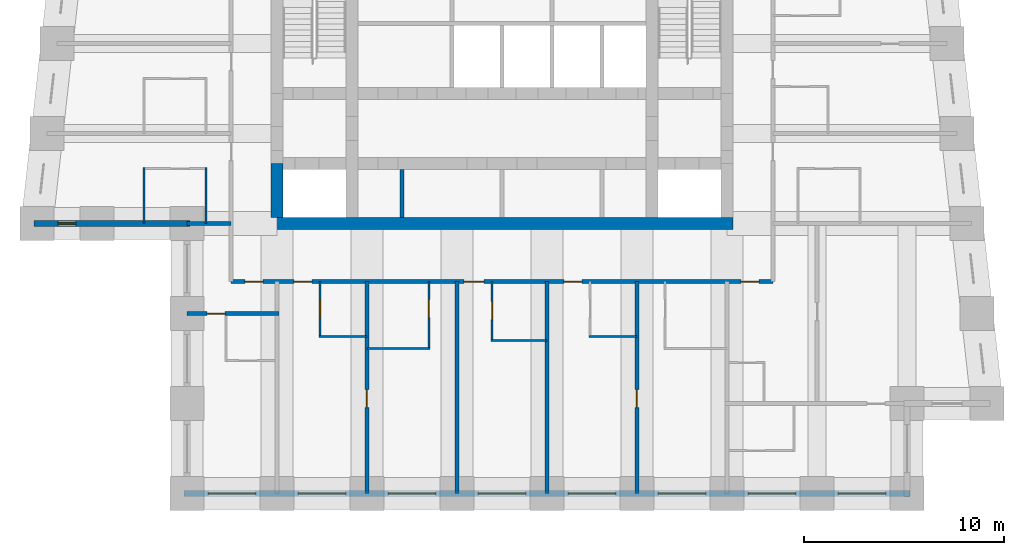
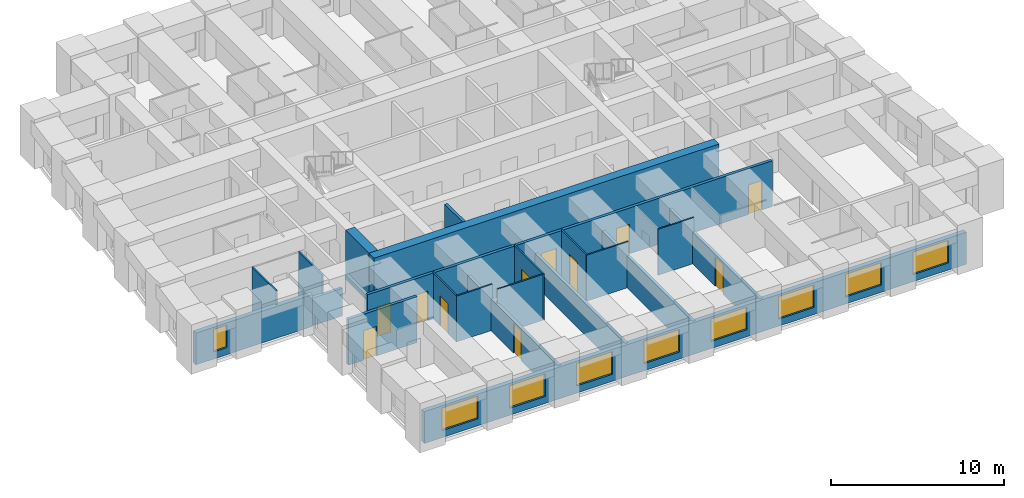
# One storey, part 2 of 8: 21 walls, 11 doors, 9 windows, 20 openings.
"""IFC4 building model written with IfcOpenShell, lengths in metres."""

from ifc_helpers import new_model, si_unit, direction, frame, frame_2d, origin, place, context, subcontext, project, spatial, rectangle, extrude, material, layer, layer_set, type_object, element, fill, save


model = new_model("IFC4")

# Units and contexts
model_context = context("Model", 3, precision=1e-05, world=origin(), true_north=direction((0.0, 1.0)))
body_context = subcontext(model_context, "Body", "Model", "MODEL_VIEW")
ifc_project = project(units=[si_unit("LENGTHUNIT", "METRE"), si_unit("AREAUNIT", "SQUARE_METRE"), si_unit("VOLUMEUNIT", "CUBIC_METRE"), si_unit("PLANEANGLEUNIT", "RADIAN"), si_unit("MASSUNIT", "GRAM", prefix="KILO")], contexts=[model_context])

# Site, building, storey
site_placement = place(None, origin())
site = spatial("IfcSite", under=ifc_project, at=site_placement, CompositionType="ELEMENT")
building_placement = place(site_placement, origin())
building = spatial("IfcBuilding", under=site, at=building_placement, Name="Kilele Tower Hotel", CompositionType="ELEMENT")
storey_placement = place(building_placement, frame((0.0, 0.0, 169.39990234375)))
storey = spatial("IfcBuildingStorey", under=building, at=storey_placement, Name="L43", CompositionType="ELEMENT", Elevation=169.39990234375)

# Wall
ifc_material_1 = material(Name="Moisture-resistant board")
ifc_layer_1 = layer(ifc_material_1, 0.10009765625)
ifc_layer_set_1 = layer_set([ifc_layer_1], Name="Moisture-resistant board")
wall_type_1 = type_object("IfcWallType", Name="Bathroom partition 100", PredefinedType="PLUMBINGWALL", material=ifc_layer_set_1)
wall_1_placement = place(storey_placement, frame((15.60009765625, 7.85009765625, 0.0), z_axis=(0.0, 0.0, 1.0), x_axis=(1.0, 0.0, 0.0)))
element("IfcWall", 1, at=wall_1_placement, inside=storey, type_object=wall_type_1, Name="Bathroom partition 100 L43", PredefinedType="PLUMBINGWALL", context=body_context, shape_type="SweptSolid", body=[
    extrude(rectangle(XDim=2.39990234375, YDim=0.10009765625, at=frame_2d((1.199951171875, 0.0))), origin(), (0.0, 0.0, 1.0), 3.25),
])

# Wall, opening, door
wall_2_placement = place(storey_placement, frame((15.64990234375, 10.60009765625, 0.0), z_axis=(0.0, 0.0, 1.0), x_axis=(0.0, -1.0, 0.0)))
wall_2 = element("IfcWall", 2, at=wall_2_placement, inside=storey, type_object=wall_type_1, Name="Bathroom partition 100 L43", PredefinedType="PLUMBINGWALL", context=body_context, shape_type="SweptSolid", body=[
    extrude(rectangle(XDim=2.800048828125, YDim=0.10009765625, at=frame_2d((1.39990234375, 0.0))), origin(), (0.0, 0.0, 1.0), 3.25),
])
opening_1_placement = place(wall_2_placement, frame((1.7998046875, 0.0, 0.0), z_axis=(0.0, 0.0, 1.0), x_axis=(-1.0, 0.0, 0.0)))
opening_1 = element("IfcOpeningElement", 3, at=opening_1_placement, cuts=wall_2, Name="Opening D2A", PredefinedType="OPENING", context=body_context, shape_type="SweptSolid", body=[
    extrude(rectangle(XDim=0.89990234375, YDim=2.10009765625, at=frame_2d((0.449951171875, 1.050048828125))), frame((0.0, 0.06005859375, 0.0), z_axis=(0.0, -1.0, 0.0), x_axis=(1.0, 0.0, 0.0)), (0.0, 0.0, 1.0), 0.1201171875),
])
ifc_material_2 = material(Name="Timber door leaf in hardwood frame", Category="wood")
door_type_1 = type_object("IfcDoorType", Name="Bathroom door 900", OperationType="SINGLE_SWING_LEFT", PredefinedType="DOOR", material=ifc_material_2)
door_1_placement = place(opening_1_placement, origin())
door_1 = element("IfcDoor", 4, at=door_1_placement, inside=storey, type_object=door_type_1, Name="Bathroom door 4301B", OperationType="SINGLE_SWING_RIGHT", OverallHeight=2.10009765625, OverallWidth=0.89990234375, PredefinedType="DOOR", context=body_context, shape_type="SweptSolid", body=[
    extrude(rectangle(XDim=0.89990234375, YDim=2.10009765625, at=frame_2d((0.449951171875, 1.050048828125))), frame((0.0, 0.02490234375, 0.0), z_axis=(0.0, -1.0, 0.0), x_axis=(1.0, 0.0, 0.0)), (0.0, 0.0, 1.0), 0.050048828125),
])
fill(opening_1, door_1)

# Wall
wall_3_placement = place(storey_placement, frame((18.0, 7.25, 0.0), z_axis=(0.0, 0.0, 1.0), x_axis=(1.0, 0.0, 0.0)))
element("IfcWall", 5, at=wall_3_placement, inside=storey, type_object=wall_type_1, Name="Bathroom partition 100 L43", PredefinedType="PLUMBINGWALL", context=body_context, shape_type="SweptSolid", body=[
    extrude(rectangle(XDim=3.14990234375, YDim=0.10009765625, at=frame_2d((1.574951171875, 0.0))), origin(), (0.0, 0.0, 1.0), 3.25),
])

# Wall, opening, door
wall_4_placement = place(storey_placement, frame((21.10009765625, 10.60009765625, 0.0), z_axis=(0.0, 0.0, 1.0), x_axis=(0.0, -1.0, 0.0)))
wall_4 = element("IfcWall", 6, at=wall_4_placement, inside=storey, type_object=wall_type_1, Name="Bathroom partition 100 L43", PredefinedType="PLUMBINGWALL", context=body_context, shape_type="SweptSolid", body=[
    extrude(rectangle(XDim=3.400146484375, YDim=0.10009765625, at=frame_2d((1.7001953125, 0.0))), origin(), (0.0, 0.0, 1.0), 3.25),
])
opening_2_placement = place(wall_4_placement, frame((0.89990234375, 0.0, 0.0)))
opening_2 = element("IfcOpeningElement", 7, at=opening_2_placement, cuts=wall_4, Name="Opening D2A", PredefinedType="OPENING", context=body_context, shape_type="SweptSolid", body=[
    extrude(rectangle(XDim=0.89990234375, YDim=2.10009765625, at=frame_2d((0.449951171875, 1.050048828125))), frame((0.0, 0.06005859375, 0.0), z_axis=(0.0, -1.0, 0.0), x_axis=(1.0, 0.0, 0.0)), (0.0, 0.0, 1.0), 0.1201171875),
])
door_2_placement = place(opening_2_placement, origin())
door_2 = element("IfcDoor", 8, at=door_2_placement, inside=storey, type_object=door_type_1, Name="Bathroom door 4302B", OperationType="SINGLE_SWING_LEFT", OverallHeight=2.10009765625, OverallWidth=0.89990234375, PredefinedType="DOOR", context=body_context, shape_type="SweptSolid", body=[
    extrude(rectangle(XDim=0.89990234375, YDim=2.10009765625, at=frame_2d((0.449951171875, 1.050048828125))), frame((0.0, 0.02490234375, 0.0), z_axis=(0.0, -1.0, 0.0), x_axis=(1.0, 0.0, 0.0)), (0.0, 0.0, 1.0), 0.050048828125),
])
fill(opening_2, door_2)

# Wall
wall_5_placement = place(storey_placement, frame((24.199951171875, 7.64990234375, 0.0), z_axis=(0.0, 0.0, 1.0), x_axis=(1.0, 0.0, 0.0)))
element("IfcWall", 9, at=wall_5_placement, inside=storey, type_object=wall_type_1, Name="Bathroom partition 100 L43", PredefinedType="PLUMBINGWALL", context=body_context, shape_type="SweptSolid", body=[
    extrude(rectangle(XDim=2.800048828125, YDim=0.10009765625, at=frame_2d((1.39990234375, 0.0))), origin(), (0.0, 0.0, 1.0), 3.25),
])

# Wall, opening, door
wall_6_placement = place(storey_placement, frame((24.25, 10.60009765625, 0.0), z_axis=(0.0, 0.0, 1.0), x_axis=(0.0, -1.0, 0.0)))
wall_6 = element("IfcWall", 10, at=wall_6_placement, inside=storey, type_object=wall_type_1, Name="Bathroom partition 100 L43", PredefinedType="PLUMBINGWALL", context=body_context, shape_type="SweptSolid", body=[
    extrude(rectangle(XDim=3.0, YDim=0.10009765625, at=frame_2d((1.5, 0.0))), origin(), (0.0, 0.0, 1.0), 3.25),
])
opening_3_placement = place(wall_6_placement, frame((1.89990234375, 0.0, 0.0), z_axis=(0.0, 0.0, 1.0), x_axis=(-1.0, 0.0, 0.0)))
opening_3 = element("IfcOpeningElement", 11, at=opening_3_placement, cuts=wall_6, Name="Opening D2A", PredefinedType="OPENING", context=body_context, shape_type="SweptSolid", body=[
    extrude(rectangle(XDim=0.89990234375, YDim=2.10009765625, at=frame_2d((0.449951171875, 1.050048828125))), frame((0.0, 0.06005859375, 0.0), z_axis=(0.0, -1.0, 0.0), x_axis=(1.0, 0.0, 0.0)), (0.0, 0.0, 1.0), 0.1201171875),
])
door_3_placement = place(opening_3_placement, origin())
door_3 = element("IfcDoor", 12, at=door_3_placement, inside=storey, type_object=door_type_1, Name="Bathroom door 4303B", OperationType="SINGLE_SWING_RIGHT", OverallHeight=2.10009765625, OverallWidth=0.89990234375, PredefinedType="DOOR", context=body_context, shape_type="SweptSolid", body=[
    extrude(rectangle(XDim=0.89990234375, YDim=2.10009765625, at=frame_2d((0.449951171875, 1.050048828125))), frame((0.0, 0.02490234375, 0.0), z_axis=(0.0, -1.0, 0.0), x_axis=(1.0, 0.0, 0.0)), (0.0, 0.0, 1.0), 0.050048828125),
])
fill(opening_3, door_3)

# Walls
wall_7_placement = place(storey_placement, frame((29.10009765625, 7.85009765625, 0.0), z_axis=(0.0, 0.0, 1.0), x_axis=(1.0, 0.0, 0.0)))
element("IfcWall", 13, at=wall_7_placement, inside=storey, type_object=wall_type_1, Name="Bathroom partition 100 L43", PredefinedType="PLUMBINGWALL", context=body_context, shape_type="SweptSolid", body=[
    extrude(rectangle(XDim=2.39990234375, YDim=0.10009765625, at=frame_2d((1.199951171875, 0.0))), origin(), (0.0, 0.0, 1.0), 3.25),
])
for number, where, z_axis, x_axis, name in (
    (14, (9.949951171875, 13.5, 0.0), (0.0, 0.0, 1.0), (0.0, 1.0, 0.0), "Bathroom partition 100 L43"),
    (15, (6.85009765625, 13.5, 0.0), (0.0, 0.0, 1.0), (0.0, 1.0, 0.0), "Bathroom partition 100 L43"),
):
    element("IfcWall", number, at=place(storey_placement, frame(where, z_axis=z_axis, x_axis=x_axis)), inside=storey, type_object=wall_type_1, Name=name, PredefinedType="PLUMBINGWALL", context=body_context, shape_type="SweptSolid", body=[
        extrude(rectangle(XDim=2.800048828125, YDim=0.10009765625, at=frame_2d((1.39990234375, 0.0))), origin(), (0.0, 0.0, 1.0), 3.25),
    ])
ifc_material_3 = material(Name="Concrete C70/85", Category="concrete")
ifc_layer_2 = layer(ifc_material_3, 0.60009765625)
ifc_layer_set_2 = layer_set([ifc_layer_2], Name="Concrete C70/85")
wall_type_2 = type_object("IfcWallType", Name="Core wall 600 C70/85", PredefinedType="SHEAR", material=ifc_layer_set_2)
wall_8_placement = place(storey_placement, frame((13.199951171875, 13.5, 0.0), z_axis=(0.0, 0.0, 1.0), x_axis=(1.0, 0.0, 0.0)))
element("IfcWall", 16, at=wall_8_placement, inside=storey, type_object=wall_type_2, Name="Core wall S L43", PredefinedType="SHEAR", context=body_context, shape_type="SweptSolid", body=[
    extrude(rectangle(XDim=23.10009765625, YDim=0.60009765625, at=frame_2d((11.550048828125, 0.0))), origin(), (0.0, 0.0, 1.0), 3.5),
])
wall_9_placement = place(storey_placement, frame((13.5, 16.5, 0.0), z_axis=(0.0, 0.0, 1.0), x_axis=(0.0, -1.0, 0.0)))
element("IfcWall", 17, at=wall_9_placement, inside=storey, type_object=wall_type_2, Name="Core wall W3 L43", PredefinedType="SHEAR", context=body_context, shape_type="SweptSolid", body=[
    extrude(rectangle(XDim=2.699951171875, YDim=0.60009765625, at=frame_2d((1.35009765625, 0.0))), origin(), (0.0, 0.0, 1.0), 3.5),
])

# Wall, openings, doors
ifc_material_4 = material(Name="Blockwork, plastered both sides", Category="masonry")
ifc_layer_3 = layer(ifc_material_4, 0.199951171875)
ifc_layer_set_3 = layer_set([ifc_layer_3], Name="Blockwork, plastered both sides")
wall_type_3 = type_object("IfcWallType", Name="Corridor wall 200", PredefinedType="PARTITIONING", material=ifc_layer_set_3)
wall_10_placement = place(storey_placement, frame((11.199951171875, 10.60009765625, 0.0), z_axis=(0.0, 0.0, 1.0), x_axis=(1.0, 0.0, 0.0)))
wall_10 = element("IfcWall", 18, at=wall_10_placement, inside=storey, type_object=wall_type_3, Name="Corridor wall 200 L43", PredefinedType="PARTITIONING", context=body_context, shape_type="SweptSolid", body=[
    extrude(rectangle(XDim=27.10009765625, YDim=0.199951171875, at=frame_2d((13.550048828125, 0.0))), origin(), (0.0, 0.0, 1.0), 3.25),
])
opening_4_placement = place(wall_10_placement, frame((4.0498046875, 0.0, 0.0), z_axis=(0.0, 0.0, 1.0), x_axis=(-1.0, 0.0, 0.0)))
opening_4 = element("IfcOpeningElement", 19, at=opening_4_placement, cuts=wall_10, Name="Opening D1", PredefinedType="OPENING", context=body_context, shape_type="SweptSolid", body=[
    extrude(rectangle(XDim=0.89990234375, YDim=2.10009765625, at=frame_2d((0.449951171875, 1.050048828125))), frame((0.0, 0.10986328125, 0.0), z_axis=(0.0, -1.0, 0.0), x_axis=(1.0, 0.0, 0.0)), (0.0, 0.0, 1.0), 0.219970703125),
])
opening_5_placement = place(wall_10_placement, frame((12.64990234375, 0.0, 0.0), z_axis=(0.0, 0.0, 1.0), x_axis=(-1.0, 0.0, 0.0)))
opening_5 = element("IfcOpeningElement", 20, at=opening_5_placement, cuts=wall_10, Name="Opening D1A", PredefinedType="OPENING", context=body_context, shape_type="SweptSolid", body=[
    extrude(rectangle(XDim=1.0, YDim=2.10009765625, at=frame_2d((0.5, 1.050048828125))), frame((0.0, 0.10986328125, 0.0), z_axis=(0.0, -1.0, 0.0), x_axis=(1.0, 0.0, 0.0)), (0.0, 0.0, 1.0), 0.219970703125),
])
opening_6_placement = place(wall_10_placement, frame((17.5498046875, 0.0, 0.0), z_axis=(0.0, 0.0, 1.0), x_axis=(-1.0, 0.0, 0.0)))
opening_6 = element("IfcOpeningElement", 21, at=opening_6_placement, cuts=wall_10, Name="Opening D1", PredefinedType="OPENING", context=body_context, shape_type="SweptSolid", body=[
    extrude(rectangle(XDim=0.89990234375, YDim=2.10009765625, at=frame_2d((0.449951171875, 1.050048828125))), frame((0.0, 0.10986328125, 0.0), z_axis=(0.0, -1.0, 0.0), x_axis=(1.0, 0.0, 0.0)), (0.0, 0.0, 1.0), 0.219970703125),
])
opening_7_placement = place(wall_10_placement, frame((1.599853515625, 0.0, 0.0), z_axis=(0.0, 0.0, 1.0), x_axis=(-1.0, 0.0, 0.0)))
opening_7 = element("IfcOpeningElement", 22, at=opening_7_placement, cuts=wall_10, Name="Opening D1", PredefinedType="OPENING", context=body_context, shape_type="SweptSolid", body=[
    extrude(rectangle(XDim=0.89990234375, YDim=2.10009765625, at=frame_2d((0.449951171875, 1.050048828125))), frame((0.0, 0.10986328125, 0.0), z_axis=(0.0, -1.0, 0.0), x_axis=(1.0, 0.0, 0.0)), (0.0, 0.0, 1.0), 0.219970703125),
])
opening_8_placement = place(wall_10_placement, frame((26.39990234375, 0.0, 0.0), z_axis=(0.0, 0.0, 1.0), x_axis=(-1.0, 0.0, 0.0)))
opening_8 = element("IfcOpeningElement", 23, at=opening_8_placement, cuts=wall_10, Name="Opening D1", PredefinedType="OPENING", context=body_context, shape_type="SweptSolid", body=[
    extrude(rectangle(XDim=0.89990234375, YDim=2.10009765625, at=frame_2d((0.449951171875, 1.050048828125))), frame((0.0, 0.10986328125, 0.0), z_axis=(0.0, -1.0, 0.0), x_axis=(1.0, 0.0, 0.0)), (0.0, 0.0, 1.0), 0.219970703125),
])
ifc_material_5 = material(Name="Timber door leaf in hardwood frame", Category="wood")
door_type_2 = type_object("IfcDoorType", Name="Guest room entrance door 1000", OperationType="SINGLE_SWING_LEFT", PredefinedType="DOOR", material=ifc_material_5)
door_4_placement = place(opening_5_placement, origin())
door_4 = element("IfcDoor", 24, at=door_4_placement, inside=storey, type_object=door_type_2, Name="Room entrance 4303", OperationType="SINGLE_SWING_RIGHT", OverallHeight=2.10009765625, OverallWidth=1.0, PredefinedType="DOOR", context=body_context, shape_type="SweptSolid", body=[
    extrude(rectangle(XDim=1.0, YDim=2.10009765625, at=frame_2d((0.5, 1.050048828125))), frame((0.0, 0.02490234375, 0.0), z_axis=(0.0, -1.0, 0.0), x_axis=(1.0, 0.0, 0.0)), (0.0, 0.0, 1.0), 0.050048828125),
])
fill(opening_5, door_4)
ifc_material_6 = material(Name="Timber door leaf in hardwood frame", Category="wood")
door_type_3 = type_object("IfcDoorType", Name="Guest room entrance door 900", OperationType="SINGLE_SWING_LEFT", PredefinedType="DOOR", material=ifc_material_6)
door_5_placement = place(opening_4_placement, origin())
door_5 = element("IfcDoor", 25, at=door_5_placement, inside=storey, type_object=door_type_3, Name="Room entrance 4301", OperationType="SINGLE_SWING_LEFT", OverallHeight=2.10009765625, OverallWidth=0.89990234375, PredefinedType="DOOR", context=body_context, shape_type="SweptSolid", body=[
    extrude(rectangle(XDim=0.89990234375, YDim=2.10009765625, at=frame_2d((0.449951171875, 1.050048828125))), frame((0.0, 0.02490234375, 0.0), z_axis=(0.0, -1.0, 0.0), x_axis=(1.0, 0.0, 0.0)), (0.0, 0.0, 1.0), 0.050048828125),
])
fill(opening_4, door_5)
door_6_placement = place(opening_6_placement, origin())
door_6 = element("IfcDoor", 26, at=door_6_placement, inside=storey, type_object=door_type_3, Name="Room entrance 4304", OperationType="SINGLE_SWING_LEFT", OverallHeight=2.10009765625, OverallWidth=0.89990234375, PredefinedType="DOOR", context=body_context, shape_type="SweptSolid", body=[
    extrude(rectangle(XDim=0.89990234375, YDim=2.10009765625, at=frame_2d((0.449951171875, 1.050048828125))), frame((0.0, 0.02490234375, 0.0), z_axis=(0.0, -1.0, 0.0), x_axis=(1.0, 0.0, 0.0)), (0.0, 0.0, 1.0), 0.050048828125),
])
fill(opening_6, door_6)
door_7_placement = place(opening_7_placement, origin())
door_7 = element("IfcDoor", 27, at=door_7_placement, inside=storey, type_object=door_type_3, Name="Room entrance 4317", OperationType="SINGLE_SWING_LEFT", OverallHeight=2.10009765625, OverallWidth=0.89990234375, PredefinedType="DOOR", context=body_context, shape_type="SweptSolid", body=[
    extrude(rectangle(XDim=0.89990234375, YDim=2.10009765625, at=frame_2d((0.449951171875, 1.050048828125))), frame((0.0, 0.02490234375, 0.0), z_axis=(0.0, -1.0, 0.0), x_axis=(1.0, 0.0, 0.0)), (0.0, 0.0, 1.0), 0.050048828125),
])
fill(opening_7, door_7)
door_8_placement = place(opening_8_placement, origin())
door_8 = element("IfcDoor", 28, at=door_8_placement, inside=storey, type_object=door_type_3, Name="Room entrance 4319", OperationType="SINGLE_SWING_RIGHT", OverallHeight=2.10009765625, OverallWidth=0.89990234375, PredefinedType="DOOR", context=body_context, shape_type="SweptSolid", body=[
    extrude(rectangle(XDim=0.89990234375, YDim=2.10009765625, at=frame_2d((0.449951171875, 1.050048828125))), frame((0.0, 0.02490234375, 0.0), z_axis=(0.0, -1.0, 0.0), x_axis=(1.0, 0.0, 0.0)), (0.0, 0.0, 1.0), 0.050048828125),
])
fill(opening_8, door_8)

# Wall, opening, door
ifc_material_7 = material(Name="Blockwork, plastered both sides", Category="masonry")
ifc_layer_4 = layer(ifc_material_7, 0.199951171875)
ifc_layer_set_4 = layer_set([ifc_layer_4], Name="Blockwork, plastered both sides")
wall_type_4 = type_object("IfcWallType", Name="Party wall 200", PredefinedType="PARTITIONING", material=ifc_layer_set_4)
wall_11_placement = place(storey_placement, frame((18.0, 10.60009765625, 0.0), z_axis=(0.0, 0.0, 1.0), x_axis=(0.0, -1.0, 0.0)))
wall_11 = element("IfcWall", 29, at=wall_11_placement, inside=storey, type_object=wall_type_4, Name="Party wall 200 L43", PredefinedType="PARTITIONING", context=body_context, shape_type="SweptSolid", body=[
    extrude(rectangle(XDim=10.60009765625, YDim=0.199951171875, at=frame_2d((5.300048828125, 0.0))), origin(), (0.0, 0.0, 1.0), 2.25),
])
opening_9_placement = place(wall_11_placement, frame((5.39990234375, 0.0, 0.0)))
opening_9 = element("IfcOpeningElement", 30, at=opening_9_placement, cuts=wall_11, Name="Opening D3", PredefinedType="OPENING", context=body_context, shape_type="SweptSolid", body=[
    extrude(rectangle(XDim=0.89990234375, YDim=2.10009765625, at=frame_2d((0.449951171875, 1.050048828125))), frame((0.0, 0.10986328125, 0.0), z_axis=(0.0, -1.0, 0.0), x_axis=(1.0, 0.0, 0.0)), (0.0, 0.0, 1.0), 0.219970703125),
])
ifc_material_8 = material(Name="Timber door leaf in hardwood frame", Category="wood")
door_type_4 = type_object("IfcDoorType", Name="Suite internal door 900", OperationType="SINGLE_SWING_LEFT", PredefinedType="DOOR", material=ifc_material_8)
door_9_placement = place(opening_9_placement, origin())
door_9 = element("IfcDoor", 31, at=door_9_placement, inside=storey, type_object=door_type_4, Name="Suite door 4302", OperationType="SINGLE_SWING_RIGHT", OverallHeight=2.10009765625, OverallWidth=0.89990234375, PredefinedType="DOOR", context=body_context, shape_type="SweptSolid", body=[
    extrude(rectangle(XDim=0.89990234375, YDim=2.10009765625, at=frame_2d((0.449951171875, 1.050048828125))), frame((0.0, 0.02490234375, 0.0), z_axis=(0.0, -1.0, 0.0), x_axis=(1.0, 0.0, 0.0)), (0.0, 0.0, 1.0), 0.050048828125),
])
fill(opening_9, door_9)

# Walls
for number, where, z_axis, x_axis, name in (
    (32, (22.5, 10.60009765625, 0.0), (0.0, 0.0, 1.0), (0.0, -1.0, 0.0), "Party wall 200 L43"),
    (33, (27.0, 10.60009765625, 0.0), (0.0, 0.0, 1.0), (0.0, -1.0, 0.0), "Party wall 200 L43"),
):
    element("IfcWall", number, at=place(storey_placement, frame(where, z_axis=z_axis, x_axis=x_axis)), inside=storey, type_object=wall_type_4, Name=name, PredefinedType="PARTITIONING", context=body_context, shape_type="SweptSolid", body=[
        extrude(rectangle(XDim=10.60009765625, YDim=0.199951171875, at=frame_2d((5.300048828125, 0.0))), origin(), (0.0, 0.0, 1.0), 2.25),
    ])

# Wall, opening, door
wall_12_placement = place(storey_placement, frame((31.5, 10.60009765625, 0.0), z_axis=(0.0, 0.0, 1.0), x_axis=(0.0, -1.0, 0.0)))
wall_12 = element("IfcWall", 34, at=wall_12_placement, inside=storey, type_object=wall_type_4, Name="Party wall 200 L43", PredefinedType="PARTITIONING", context=body_context, shape_type="SweptSolid", body=[
    extrude(rectangle(XDim=10.60009765625, YDim=0.199951171875, at=frame_2d((5.300048828125, 0.0))), origin(), (0.0, 0.0, 1.0), 2.25),
])
opening_10_placement = place(wall_12_placement, frame((5.39990234375, 0.0, 0.0)))
opening_10 = element("IfcOpeningElement", 35, at=opening_10_placement, cuts=wall_12, Name="Opening D3", PredefinedType="OPENING", context=body_context, shape_type="SweptSolid", body=[
    extrude(rectangle(XDim=0.89990234375, YDim=2.10009765625, at=frame_2d((0.449951171875, 1.050048828125))), frame((0.0, 0.10986328125, 0.0), z_axis=(0.0, -1.0, 0.0), x_axis=(1.0, 0.0, 0.0)), (0.0, 0.0, 1.0), 0.219970703125),
])
door_10_placement = place(opening_10_placement, origin())
door_10 = element("IfcDoor", 36, at=door_10_placement, inside=storey, type_object=door_type_4, Name="Suite door 4305", OperationType="SINGLE_SWING_RIGHT", OverallHeight=2.10009765625, OverallWidth=0.89990234375, PredefinedType="DOOR", context=body_context, shape_type="SweptSolid", body=[
    extrude(rectangle(XDim=0.89990234375, YDim=2.10009765625, at=frame_2d((0.449951171875, 1.050048828125))), frame((0.0, 0.02490234375, 0.0), z_axis=(0.0, -1.0, 0.0), x_axis=(1.0, 0.0, 0.0)), (0.0, 0.0, 1.0), 0.050048828125),
])
fill(opening_10, door_10)

# Wall
wall_13_placement = place(storey_placement, frame((11.199951171875, 13.5, 0.0), z_axis=(0.0, 0.0, 1.0), x_axis=(-1.0, 0.0, 0.0)))
element("IfcWall", 37, at=wall_13_placement, inside=storey, type_object=wall_type_4, Name="Party wall 200 L43", PredefinedType="PARTITIONING", context=body_context, shape_type="SweptSolid", body=[
    extrude(rectangle(XDim=2.199951171875, YDim=0.199951171875, at=frame_2d((1.10009765625, 0.0))), origin(), (0.0, 0.0, 1.0), 1.9501953125),
])

# Wall, opening, door
wall_14_placement = place(storey_placement, frame((13.60009765625, 9.0, 0.0), z_axis=(0.0, 0.0, 1.0), x_axis=(-1.0, 0.0, 0.0)))
wall_14 = element("IfcWall", 38, at=wall_14_placement, inside=storey, type_object=wall_type_4, Name="Party wall 200 L43", PredefinedType="PARTITIONING", context=body_context, shape_type="SweptSolid", body=[
    extrude(rectangle(XDim=4.60009765625, YDim=0.199951171875, at=frame_2d((2.300048828125, 0.0))), origin(), (0.0, 0.0, 1.0), 3.25),
])
opening_11_placement = place(wall_14_placement, frame((2.699951171875, 0.0, 0.0)))
opening_11 = element("IfcOpeningElement", 39, at=opening_11_placement, cuts=wall_14, Name="Opening D3", PredefinedType="OPENING", context=body_context, shape_type="SweptSolid", body=[
    extrude(rectangle(XDim=0.89990234375, YDim=2.10009765625, at=frame_2d((0.449951171875, 1.050048828125))), frame((0.0, 0.10986328125, 0.0), z_axis=(0.0, -1.0, 0.0), x_axis=(1.0, 0.0, 0.0)), (0.0, 0.0, 1.0), 0.219970703125),
])
door_11_placement = place(opening_11_placement, origin())
door_11 = element("IfcDoor", 40, at=door_11_placement, inside=storey, type_object=door_type_4, Name="Suite door 4318", OperationType="SINGLE_SWING_LEFT", OverallHeight=2.10009765625, OverallWidth=0.89990234375, PredefinedType="DOOR", context=body_context, shape_type="SweptSolid", body=[
    extrude(rectangle(XDim=0.89990234375, YDim=2.10009765625, at=frame_2d((0.449951171875, 1.050048828125))), frame((0.0, 0.02490234375, 0.0), z_axis=(0.0, -1.0, 0.0), x_axis=(1.0, 0.0, 0.0)), (0.0, 0.0, 1.0), 0.050048828125),
])
fill(opening_11, door_11)

# Wall, opening, window
ifc_material_9 = material(Name="Concrete C40/50 precast", Category="concrete")
ifc_layer_5 = layer(ifc_material_9, 0.260009765625, Name="Precast backing", Category="LoadBearing")
ifc_material_10 = material(Name="Reconstituted stone finish", Category="masonry")
ifc_layer_6 = layer(ifc_material_10, 0.0400390625, Name="Face mix", Category="Finish")
ifc_layer_set_5 = layer_set([ifc_layer_5, ifc_layer_6], Name="Precast concrete C40/50, reconstituted stone finish")
wall_type_5 = type_object("IfcWallType", Name="Precast stone facade wall 300", PredefinedType="STANDARD", material=ifc_layer_set_5)
wall_15_placement = place(storey_placement, frame((1.35009765625, 13.5, 0.0), z_axis=(0.0, 0.0, 1.0), x_axis=(1.0, 0.0, 0.0)))
wall_15 = element("IfcWall", 41, at=wall_15_placement, inside=storey, type_object=wall_type_5, Name="Facade wall L43 edge 1", PredefinedType="STANDARD", context=body_context, shape_type="SweptSolid", body=[
    extrude(rectangle(XDim=7.7998046875, YDim=0.300048828125, at=frame_2d((3.89990234375, 0.0))), origin(), (0.0, 0.0, 1.0), 2.25),
])
opening_12_placement = place(wall_15_placement, frame((1.199951171875, 0.0, 0.5)))
opening_12 = element("IfcOpeningElement", 42, at=opening_12_placement, cuts=wall_15, Name="Opening W3", PredefinedType="OPENING", context=body_context, shape_type="SweptSolid", body=[
    extrude(rectangle(XDim=0.89990234375, YDim=1.60009765625, at=frame_2d((0.449951171875, 0.800048828125))), frame((0.0, 0.159912109375, 0.0), z_axis=(0.0, -1.0, 0.0), x_axis=(1.0, 0.0, 0.0)), (0.0, 0.0, 1.0), 0.320068359375),
])
ifc_material_11 = material(Name="Aluminium frame, clear double glazing", Category="aluminium")
window_type_1 = type_object("IfcWindowType", Name="Window W3 900 x 1600", PartitioningType="SINGLE_PANEL", PredefinedType="WINDOW", material=ifc_material_11)
window_1_placement = place(opening_12_placement, origin())
window_1 = element("IfcWindow", 43, at=window_1_placement, inside=storey, type_object=window_type_1, Name="Window L43", OverallHeight=1.60009765625, OverallWidth=0.89990234375, PartitioningType="SINGLE_PANEL", PredefinedType="WINDOW", context=body_context, shape_type="SweptSolid", body=[
    extrude(rectangle(XDim=0.89990234375, YDim=1.60009765625, at=frame_2d((0.449951171875, 0.800048828125))), frame((0.0, 0.030029296875, 0.0), z_axis=(0.0, -1.0, 0.0), x_axis=(1.0, 0.0, 0.0)), (0.0, 0.0, 1.0), 0.06005859375),
])
fill(opening_12, window_1)

# Wall, openings, windows
wall_16_placement = place(storey_placement, frame((8.85009765625, 0.0, 0.0), z_axis=(0.0, 0.0, 1.0), x_axis=(1.0, 0.0, 0.0)))
wall_16 = element("IfcWall", 44, at=wall_16_placement, inside=storey, type_object=wall_type_5, Name="Facade wall L43 edge 3", PredefinedType="STANDARD", context=body_context, shape_type="SweptSolid", body=[
    extrude(rectangle(XDim=36.2998046875, YDim=0.300048828125, at=frame_2d((18.14990234375, 0.0))), origin(), (0.0, 0.0, 1.0), 2.25),
])
opening_13_placement = place(wall_16_placement, frame((1.199951171875, 0.0, 0.5)))
opening_13 = element("IfcOpeningElement", 45, at=opening_13_placement, cuts=wall_16, Name="Opening W3", PredefinedType="OPENING", context=body_context, shape_type="SweptSolid", body=[
    extrude(rectangle(XDim=2.39990234375, YDim=1.60009765625, at=frame_2d((1.199951171875, 0.800048828125))), frame((0.0, 0.159912109375, 0.0), z_axis=(0.0, -1.0, 0.0), x_axis=(1.0, 0.0, 0.0)), (0.0, 0.0, 1.0), 0.320068359375),
])
opening_14_placement = place(wall_16_placement, frame((5.699951171875, 0.0, 0.5)))
opening_14 = element("IfcOpeningElement", 46, at=opening_14_placement, cuts=wall_16, Name="Opening W3", PredefinedType="OPENING", context=body_context, shape_type="SweptSolid", body=[
    extrude(rectangle(XDim=2.39990234375, YDim=1.60009765625, at=frame_2d((1.199951171875, 0.800048828125))), frame((0.0, 0.159912109375, 0.0), z_axis=(0.0, -1.0, 0.0), x_axis=(1.0, 0.0, 0.0)), (0.0, 0.0, 1.0), 0.320068359375),
])
opening_15_placement = place(wall_16_placement, frame((10.199951171875, 0.0, 0.5)))
opening_15 = element("IfcOpeningElement", 47, at=opening_15_placement, cuts=wall_16, Name="Opening W3", PredefinedType="OPENING", context=body_context, shape_type="SweptSolid", body=[
    extrude(rectangle(XDim=2.39990234375, YDim=1.60009765625, at=frame_2d((1.199951171875, 0.800048828125))), frame((0.0, 0.159912109375, 0.0), z_axis=(0.0, -1.0, 0.0), x_axis=(1.0, 0.0, 0.0)), (0.0, 0.0, 1.0), 0.320068359375),
])
opening_16_placement = place(wall_16_placement, frame((14.699951171875, 0.0, 0.5)))
opening_16 = element("IfcOpeningElement", 48, at=opening_16_placement, cuts=wall_16, Name="Opening W3", PredefinedType="OPENING", context=body_context, shape_type="SweptSolid", body=[
    extrude(rectangle(XDim=2.39990234375, YDim=1.60009765625, at=frame_2d((1.199951171875, 0.800048828125))), frame((0.0, 0.159912109375, 0.0), z_axis=(0.0, -1.0, 0.0), x_axis=(1.0, 0.0, 0.0)), (0.0, 0.0, 1.0), 0.320068359375),
])
opening_17_placement = place(wall_16_placement, frame((19.199951171875, 0.0, 0.5)))
opening_17 = element("IfcOpeningElement", 49, at=opening_17_placement, cuts=wall_16, Name="Opening W3", PredefinedType="OPENING", context=body_context, shape_type="SweptSolid", body=[
    extrude(rectangle(XDim=2.39990234375, YDim=1.60009765625, at=frame_2d((1.199951171875, 0.800048828125))), frame((0.0, 0.159912109375, 0.0), z_axis=(0.0, -1.0, 0.0), x_axis=(1.0, 0.0, 0.0)), (0.0, 0.0, 1.0), 0.320068359375),
])
opening_18_placement = place(wall_16_placement, frame((23.699951171875, 0.0, 0.5)))
opening_18 = element("IfcOpeningElement", 50, at=opening_18_placement, cuts=wall_16, Name="Opening W3", PredefinedType="OPENING", context=body_context, shape_type="SweptSolid", body=[
    extrude(rectangle(XDim=2.39990234375, YDim=1.60009765625, at=frame_2d((1.199951171875, 0.800048828125))), frame((0.0, 0.159912109375, 0.0), z_axis=(0.0, -1.0, 0.0), x_axis=(1.0, 0.0, 0.0)), (0.0, 0.0, 1.0), 0.320068359375),
])
opening_19_placement = place(wall_16_placement, frame((28.199951171875, 0.0, 0.5)))
opening_19 = element("IfcOpeningElement", 51, at=opening_19_placement, cuts=wall_16, Name="Opening W3", PredefinedType="OPENING", context=body_context, shape_type="SweptSolid", body=[
    extrude(rectangle(XDim=2.39990234375, YDim=1.60009765625, at=frame_2d((1.199951171875, 0.800048828125))), frame((0.0, 0.159912109375, 0.0), z_axis=(0.0, -1.0, 0.0), x_axis=(1.0, 0.0, 0.0)), (0.0, 0.0, 1.0), 0.320068359375),
])
opening_20_placement = place(wall_16_placement, frame((32.699951171875, 0.0, 0.5)))
opening_20 = element("IfcOpeningElement", 52, at=opening_20_placement, cuts=wall_16, Name="Opening W3", PredefinedType="OPENING", context=body_context, shape_type="SweptSolid", body=[
    extrude(rectangle(XDim=2.39990234375, YDim=1.60009765625, at=frame_2d((1.199951171875, 0.800048828125))), frame((0.0, 0.159912109375, 0.0), z_axis=(0.0, -1.0, 0.0), x_axis=(1.0, 0.0, 0.0)), (0.0, 0.0, 1.0), 0.320068359375),
])
ifc_material_12 = material(Name="Aluminium frame, clear double glazing", Category="aluminium")
window_type_2 = type_object("IfcWindowType", Name="Window W3 2400 x 1600", PartitioningType="SINGLE_PANEL", PredefinedType="WINDOW", material=ifc_material_12)
window_2_placement = place(opening_13_placement, origin())
window_2 = element("IfcWindow", 53, at=window_2_placement, inside=storey, type_object=window_type_2, Name="Window L43", OverallHeight=1.60009765625, OverallWidth=2.39990234375, PartitioningType="SINGLE_PANEL", PredefinedType="WINDOW", context=body_context, shape_type="SweptSolid", body=[
    extrude(rectangle(XDim=2.39990234375, YDim=1.60009765625, at=frame_2d((1.199951171875, 0.800048828125))), frame((0.0, 0.030029296875, 0.0), z_axis=(0.0, -1.0, 0.0), x_axis=(1.0, 0.0, 0.0)), (0.0, 0.0, 1.0), 0.06005859375),
])
fill(opening_13, window_2)
window_3_placement = place(opening_14_placement, origin())
window_3 = element("IfcWindow", 54, at=window_3_placement, inside=storey, type_object=window_type_2, Name="Window L43", OverallHeight=1.60009765625, OverallWidth=2.39990234375, PartitioningType="SINGLE_PANEL", PredefinedType="WINDOW", context=body_context, shape_type="SweptSolid", body=[
    extrude(rectangle(XDim=2.39990234375, YDim=1.60009765625, at=frame_2d((1.199951171875, 0.800048828125))), frame((0.0, 0.030029296875, 0.0), z_axis=(0.0, -1.0, 0.0), x_axis=(1.0, 0.0, 0.0)), (0.0, 0.0, 1.0), 0.06005859375),
])
fill(opening_14, window_3)
window_4_placement = place(opening_15_placement, origin())
window_4 = element("IfcWindow", 55, at=window_4_placement, inside=storey, type_object=window_type_2, Name="Window L43", OverallHeight=1.60009765625, OverallWidth=2.39990234375, PartitioningType="SINGLE_PANEL", PredefinedType="WINDOW", context=body_context, shape_type="SweptSolid", body=[
    extrude(rectangle(XDim=2.39990234375, YDim=1.60009765625, at=frame_2d((1.199951171875, 0.800048828125))), frame((0.0, 0.030029296875, 0.0), z_axis=(0.0, -1.0, 0.0), x_axis=(1.0, 0.0, 0.0)), (0.0, 0.0, 1.0), 0.06005859375),
])
fill(opening_15, window_4)
window_5_placement = place(opening_16_placement, origin())
window_5 = element("IfcWindow", 56, at=window_5_placement, inside=storey, type_object=window_type_2, Name="Window L43", OverallHeight=1.60009765625, OverallWidth=2.39990234375, PartitioningType="SINGLE_PANEL", PredefinedType="WINDOW", context=body_context, shape_type="SweptSolid", body=[
    extrude(rectangle(XDim=2.39990234375, YDim=1.60009765625, at=frame_2d((1.199951171875, 0.800048828125))), frame((0.0, 0.030029296875, 0.0), z_axis=(0.0, -1.0, 0.0), x_axis=(1.0, 0.0, 0.0)), (0.0, 0.0, 1.0), 0.06005859375),
])
fill(opening_16, window_5)
window_6_placement = place(opening_17_placement, origin())
window_6 = element("IfcWindow", 57, at=window_6_placement, inside=storey, type_object=window_type_2, Name="Window L43", OverallHeight=1.60009765625, OverallWidth=2.39990234375, PartitioningType="SINGLE_PANEL", PredefinedType="WINDOW", context=body_context, shape_type="SweptSolid", body=[
    extrude(rectangle(XDim=2.39990234375, YDim=1.60009765625, at=frame_2d((1.199951171875, 0.800048828125))), frame((0.0, 0.030029296875, 0.0), z_axis=(0.0, -1.0, 0.0), x_axis=(1.0, 0.0, 0.0)), (0.0, 0.0, 1.0), 0.06005859375),
])
fill(opening_17, window_6)
window_7_placement = place(opening_18_placement, origin())
window_7 = element("IfcWindow", 58, at=window_7_placement, inside=storey, type_object=window_type_2, Name="Window L43", OverallHeight=1.60009765625, OverallWidth=2.39990234375, PartitioningType="SINGLE_PANEL", PredefinedType="WINDOW", context=body_context, shape_type="SweptSolid", body=[
    extrude(rectangle(XDim=2.39990234375, YDim=1.60009765625, at=frame_2d((1.199951171875, 0.800048828125))), frame((0.0, 0.030029296875, 0.0), z_axis=(0.0, -1.0, 0.0), x_axis=(1.0, 0.0, 0.0)), (0.0, 0.0, 1.0), 0.06005859375),
])
fill(opening_18, window_7)
window_8_placement = place(opening_19_placement, origin())
window_8 = element("IfcWindow", 59, at=window_8_placement, inside=storey, type_object=window_type_2, Name="Window L43", OverallHeight=1.60009765625, OverallWidth=2.39990234375, PartitioningType="SINGLE_PANEL", PredefinedType="WINDOW", context=body_context, shape_type="SweptSolid", body=[
    extrude(rectangle(XDim=2.39990234375, YDim=1.60009765625, at=frame_2d((1.199951171875, 0.800048828125))), frame((0.0, 0.030029296875, 0.0), z_axis=(0.0, -1.0, 0.0), x_axis=(1.0, 0.0, 0.0)), (0.0, 0.0, 1.0), 0.06005859375),
])
fill(opening_19, window_8)
window_9_placement = place(opening_20_placement, origin())
window_9 = element("IfcWindow", 60, at=window_9_placement, inside=storey, type_object=window_type_2, Name="Window L43", OverallHeight=1.60009765625, OverallWidth=2.39990234375, PartitioningType="SINGLE_PANEL", PredefinedType="WINDOW", context=body_context, shape_type="SweptSolid", body=[
    extrude(rectangle(XDim=2.39990234375, YDim=1.60009765625, at=frame_2d((1.199951171875, 0.800048828125))), frame((0.0, 0.030029296875, 0.0), z_axis=(0.0, -1.0, 0.0), x_axis=(1.0, 0.0, 0.0)), (0.0, 0.0, 1.0), 0.06005859375),
])
fill(opening_20, window_9)

# Wall
ifc_material_13 = material(Name="Blockwork, fire-rated", Category="masonry")
ifc_layer_7 = layer(ifc_material_13, 0.199951171875)
ifc_layer_set_6 = layer_set([ifc_layer_7], Name="Blockwork, fire-rated")
wall_type_6 = type_object("IfcWallType", Name="Shaft wall 200", PredefinedType="PARTITIONING", material=ifc_layer_set_6)
wall_17_placement = place(storey_placement, frame((19.75, 13.800048828125, 0.0), z_axis=(0.0, 0.0, 1.0), x_axis=(0.0, 1.0, 0.0)))
element("IfcWall", 61, at=wall_17_placement, inside=storey, type_object=wall_type_6, Name="Shaft wall 200 L43", PredefinedType="PARTITIONING", context=body_context, shape_type="SweptSolid", body=[
    extrude(rectangle(XDim=2.39990234375, YDim=0.199951171875, at=frame_2d((1.199951171875, 0.0))), origin(), (0.0, 0.0, 1.0), 3.25),
])

save(model, "model.ifc")
